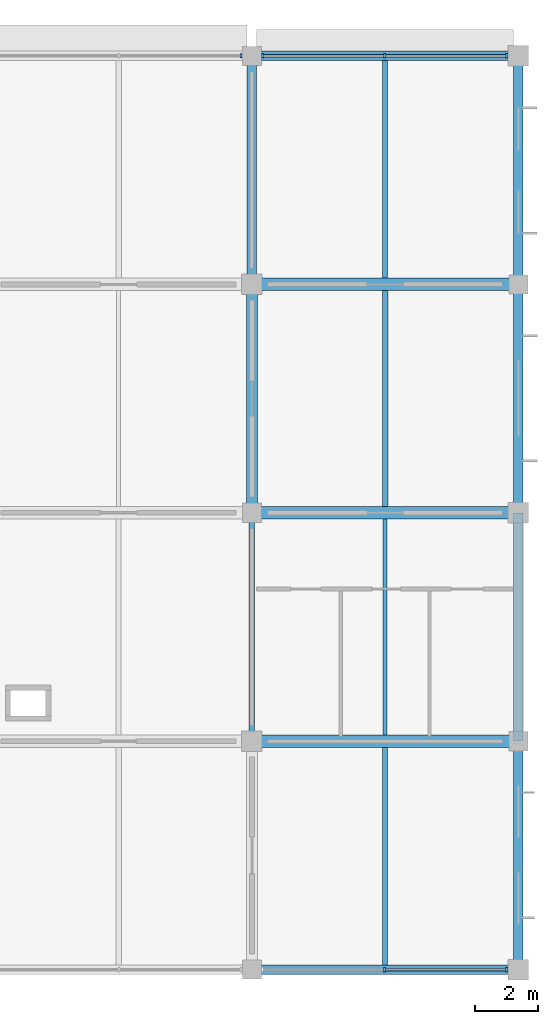
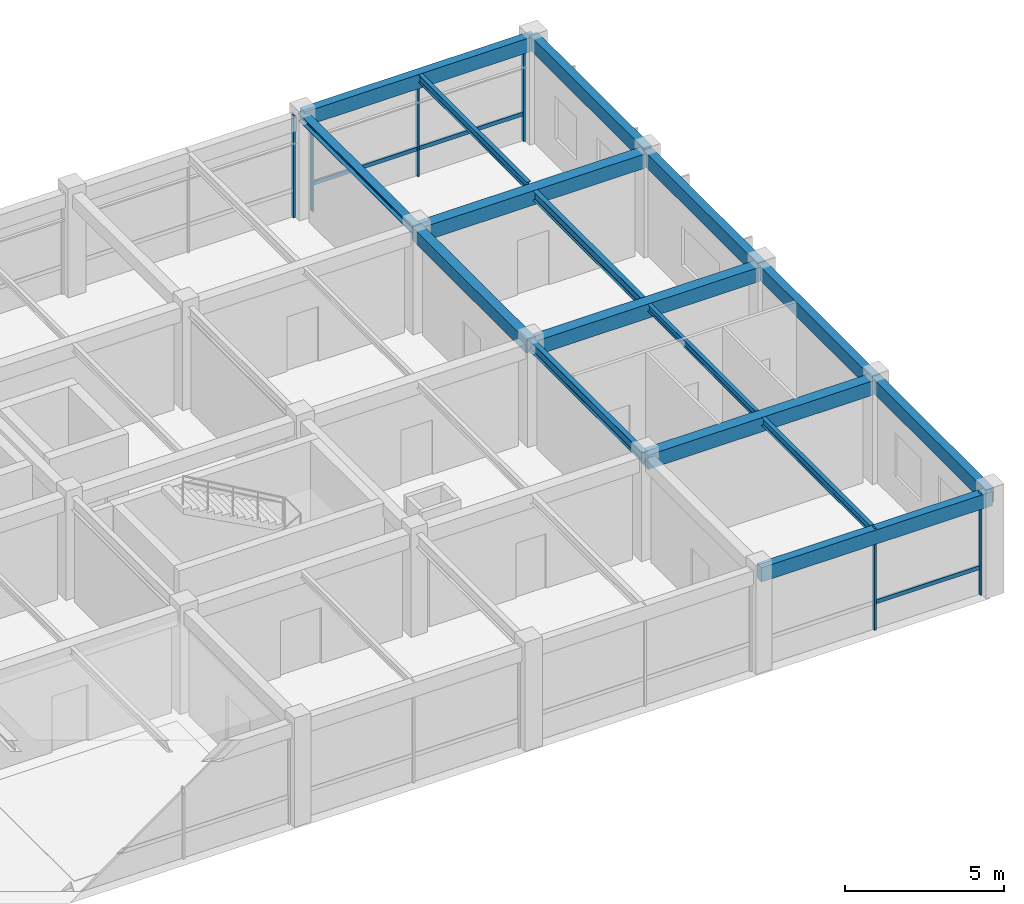
# One storey, part 6 of 11: 16 beams, 9 members, 3 elements without a shape of their own.
"""IFC4 building model written with IfcOpenShell, lengths in metres."""

from ifc_helpers import new_model, si_unit, derived_unit, direction, frame, origin, origin_2d, place, context, subcontext, project, spatial, rectangle, i_section, extrude, material, material_profile, profile_set, type_object, element, aggregate, save


model = new_model("IFC4")

# Units and contexts
model_context = context("Model", 3, precision=1e-05, world=origin(), true_north=direction((0.0, 1.0)))
body_context = subcontext(model_context, "Body", "Model", "MODEL_VIEW")
ifc_project = project(units=[si_unit("LENGTHUNIT", "METRE"), si_unit("AREAUNIT", "SQUARE_METRE"), si_unit("VOLUMEUNIT", "CUBIC_METRE"), si_unit("PLANEANGLEUNIT", "RADIAN"), si_unit("MASSUNIT", "GRAM", prefix="KILO"), derived_unit("THERMALTRANSMITTANCEUNIT", [(si_unit("MASSUNIT", "GRAM", prefix="KILO"), 1), (si_unit("TIMEUNIT", "SECOND"), -3), (si_unit("THERMODYNAMICTEMPERATUREUNIT", "KELVIN"), -1)])], contexts=[model_context])

# Site, building, storey
site_placement = place(None, origin())
site = spatial("IfcSite", under=ifc_project, at=site_placement, CompositionType="ELEMENT")
building_placement = place(site_placement, origin())
building = spatial("IfcBuilding", under=site, at=building_placement, Name="Veldstrom Oceanarium and Marine Research Institute", CompositionType="ELEMENT")
storey_placement = place(building_placement, frame((0.0, 0.0, 48.0)))
storey = spatial("IfcBuildingStorey", under=building, at=storey_placement, Name="L10", CompositionType="ELEMENT", Elevation=48.0)

# Curtain wall, member
ifc_material_1 = material(Name="Anodised Aluminium Framing", Category="aluminium")
curtain_wall_type = type_object("IfcCurtainWallType", Name="ARC-CW-CW04", PredefinedType="USERDEFINED", material=ifc_material_1)
curtain_wall_1_placement = place(storey_placement, origin())
curtain_wall_1 = element("IfcCurtainWall", 1, at=curtain_wall_1_placement, inside=storey, type_object=curtain_wall_type, Name="Curtain Wall CW04 CW-L10-148", ObjectType="Curtain wall", PredefinedType="USERDEFINED")
ifc_material_2 = material(Name="Anodised Aluminium Framing", Category="aluminium")
ifc_material_profile_1 = material_profile(ifc_material_2, rectangle(XDim=0.06494140625, YDim=0.14990234375, at=origin_2d()), Name="ALU-MUL-65x150")
ifc_profile_set_1 = profile_set([ifc_material_profile_1], Name="Anodised Aluminium Framing")
member_type_1 = type_object("IfcMemberType", Name="ARC-MUL-ML2", PredefinedType="MULLION", material=ifc_profile_set_1)
member_1_placement = place(storey_placement, frame((108.860107421875, 72.0, 0.0), z_axis=(0.0, 0.0, 1.0), x_axis=(1.0, 0.0, 0.0)))
member_1 = element("IfcMember", 2, at=member_1_placement, type_object=member_type_1, Name="Curtain Wall Mullion CW-L10-148-MUL-3", PredefinedType="MULLION", context=body_context, shape_type="SweptSolid", body=[
    extrude(rectangle(XDim=0.06494140625, YDim=0.14990234375, at=origin_2d()), origin(), (0.0, 0.0, 1.0), 3.919921875),
])
aggregate(curtain_wall_1, [member_1])

# Curtain wall, members
curtain_wall_2_placement = place(storey_placement, origin())
curtain_wall_2 = element("IfcCurtainWall", 3, at=curtain_wall_2_placement, inside=storey, type_object=curtain_wall_type, Name="Curtain Wall CW04 CW-L10-149", ObjectType="Curtain wall", PredefinedType="USERDEFINED")
member_2_placement = place(storey_placement, frame((113.387451171875, 43.199951171875, 0.0), z_axis=(0.0, 0.0, 1.0), x_axis=(1.0, 0.0, 0.0)))
member_2 = element("IfcMember", 4, at=member_2_placement, type_object=member_type_1, Name="Curtain Wall Mullion CW-L10-149-MUL-2", PredefinedType="MULLION", context=body_context, shape_type="SweptSolid", body=[
    extrude(rectangle(XDim=0.06494140625, YDim=0.14990234375, at=origin_2d()), origin(), (0.0, 0.0, 1.0), 3.919921875),
])
member_3_placement = place(storey_placement, frame((117.235107421875, 43.199951171875, 0.0), z_axis=(0.0, 0.0, 1.0), x_axis=(1.0, 0.0, 0.0)))
member_3 = element("IfcMember", 5, at=member_3_placement, type_object=member_type_1, Name="Curtain Wall Mullion CW-L10-149-MUL-3", PredefinedType="MULLION", context=body_context, shape_type="SweptSolid", body=[
    extrude(rectangle(XDim=0.06494140625, YDim=0.14990234375, at=origin_2d()), origin(), (0.0, 0.0, 1.0), 3.919921875),
])

curtain_wall_3_placement = place(storey_placement, origin())
curtain_wall_3 = element("IfcCurtainWall", 6, at=curtain_wall_3_placement, inside=storey, type_object=curtain_wall_type, Name="Curtain Wall CW04 CW-L10-150", ObjectType="Curtain wall", PredefinedType="USERDEFINED")
member_4_placement = place(storey_placement, frame((109.5400390625, 72.0, 0.0), z_axis=(0.0, 0.0, 1.0), x_axis=(1.0, 0.0, 0.0)))
member_4 = element("IfcMember", 7, at=member_4_placement, type_object=member_type_1, Name="Curtain Wall Mullion CW-L10-150-MUL-1", PredefinedType="MULLION", context=body_context, shape_type="SweptSolid", body=[
    extrude(rectangle(XDim=0.06494140625, YDim=0.14990234375, at=origin_2d()), origin(), (0.0, 0.0, 1.0), 3.919921875),
])
member_5_placement = place(storey_placement, frame((113.387451171875, 72.0, 0.0), z_axis=(0.0, 0.0, 1.0), x_axis=(1.0, 0.0, 0.0)))
member_5 = element("IfcMember", 8, at=member_5_placement, type_object=member_type_1, Name="Curtain Wall Mullion CW-L10-150-MUL-2", PredefinedType="MULLION", context=body_context, shape_type="SweptSolid", body=[
    extrude(rectangle(XDim=0.06494140625, YDim=0.14990234375, at=origin_2d()), origin(), (0.0, 0.0, 1.0), 3.919921875),
])
member_6_placement = place(storey_placement, frame((117.235107421875, 72.0, 0.0), z_axis=(0.0, 0.0, 1.0), x_axis=(1.0, 0.0, 0.0)))
member_6 = element("IfcMember", 9, at=member_6_placement, type_object=member_type_1, Name="Curtain Wall Mullion CW-L10-150-MUL-3", PredefinedType="MULLION", context=body_context, shape_type="SweptSolid", body=[
    extrude(rectangle(XDim=0.06494140625, YDim=0.14990234375, at=origin_2d()), origin(), (0.0, 0.0, 1.0), 3.919921875),
])

# Member
ifc_material_3 = material(Name="Anodised Aluminium Framing", Category="aluminium")
ifc_material_profile_2 = material_profile(ifc_material_3, rectangle(XDim=0.074951171875, YDim=0.14990234375, at=origin_2d()), Name="ALU-TRN-75x150")
ifc_profile_set_2 = profile_set([ifc_material_profile_2], Name="Anodised Aluminium Framing")
member_type_2 = type_object("IfcMemberType", Name="ARC-TRN-TR1", PredefinedType="USERDEFINED", material=ifc_profile_set_2)
member_7_placement = place(storey_placement, frame((113.427490234375, 43.199951171875, 1.050048828125), z_axis=(1.0, 0.0, 0.0), x_axis=(0.0, 1.0, 0.0)))
member_7 = element("IfcMember", 10, at=member_7_placement, type_object=member_type_2, Name="Curtain Wall Transom CW-L10-149-TRN-2", ObjectType="Transom", PredefinedType="USERDEFINED", context=body_context, shape_type="SweptSolid", body=[
    extrude(rectangle(XDim=0.074951171875, YDim=0.14990234375, at=origin_2d()), origin(), (0.0, 0.0, 1.0), 3.767578125),
])

aggregate(curtain_wall_2, [member_2, member_3, member_7])

member_8_placement = place(storey_placement, frame((109.580078125, 72.0, 1.050048828125), z_axis=(1.0, 0.0, 0.0), x_axis=(0.0, 1.0, 0.0)))
member_8 = element("IfcMember", 11, at=member_8_placement, type_object=member_type_2, Name="Curtain Wall Transom CW-L10-150-TRN-1", ObjectType="Transom", PredefinedType="USERDEFINED", context=body_context, shape_type="SweptSolid", body=[
    extrude(rectangle(XDim=0.074951171875, YDim=0.14990234375, at=origin_2d()), origin(), (0.0, 0.0, 1.0), 3.767333984375),
])

member_9_placement = place(storey_placement, frame((113.427490234375, 72.0, 1.050048828125), z_axis=(1.0, 0.0, 0.0), x_axis=(0.0, 1.0, 0.0)))
member_9 = element("IfcMember", 12, at=member_9_placement, type_object=member_type_2, Name="Curtain Wall Transom CW-L10-150-TRN-2", ObjectType="Transom", PredefinedType="USERDEFINED", context=body_context, shape_type="SweptSolid", body=[
    extrude(rectangle(XDim=0.074951171875, YDim=0.14990234375, at=origin_2d()), origin(), (0.0, 0.0, 1.0), 3.767578125),
])

aggregate(curtain_wall_3, [member_4, member_5, member_6, member_8, member_9])

# Beams
ifc_material_4 = material(Name="Concrete C40/50", Category="concrete")
ifc_material_profile_3 = material_profile(ifc_material_4, rectangle(XDim=0.39990234375, YDim=0.550048828125, at=origin_2d()), Name="RC-BM-400x550")
ifc_profile_set_3 = profile_set([ifc_material_profile_3], Name="Concrete C40/50")
beam_type_1 = type_object("IfcBeamType", Name="STR-BM-B07", PredefinedType="BEAM", material=ifc_profile_set_3)
for number, where, z_axis, x_axis, name in (
    (13, (109.199951171875, 50.39990234375, 3.639892578125), (1.0, 0.0, 0.0), (0.0, 1.0, 0.0), "Primary Beam B07 L10-2560"),
    (14, (109.199951171875, 57.60009765625, 3.639892578125), (1.0, 0.0, 0.0), (0.0, 1.0, 0.0), "Primary Beam B07 L10-2561"),
    (15, (109.199951171875, 64.800048828125, 3.639892578125), (1.0, 0.0, 0.0), (0.0, 1.0, 0.0), "Primary Beam B07 L10-2562"),
):
    element("IfcBeam", number, at=place(storey_placement, frame(where, z_axis=z_axis, x_axis=x_axis)), inside=storey, type_object=beam_type_1, Name=name, PredefinedType="BEAM", context=body_context, shape_type="SweptSolid", body=[
        extrude(rectangle(XDim=0.39990234375, YDim=0.550048828125, at=origin_2d()), origin(), (0.0, 0.0, 1.0), 8.400146484375),
    ])
ifc_material_5 = material(Name="Concrete C40/50", Category="concrete")
ifc_material_profile_4 = material_profile(ifc_material_5, rectangle(XDim=0.35009765625, YDim=0.5, at=origin_2d()), Name="RC-BM-350x500")
ifc_profile_set_4 = profile_set([ifc_material_profile_4], Name="Concrete C40/50")
beam_type_2 = type_object("IfcBeamType", Name="STR-BM-B08", PredefinedType="BEAM", material=ifc_profile_set_4)
beam_1_placement = place(storey_placement, frame((109.199951171875, 57.60009765625, 3.6650390625), z_axis=(0.0, 1.0, 0.0), x_axis=(-1.0, 0.0, 0.0)))
element("IfcBeam", 16, at=beam_1_placement, inside=storey, type_object=beam_type_2, Name="Primary Beam B08 L10-2582", PredefinedType="BEAM", context=body_context, shape_type="SweptSolid", body=[
    extrude(rectangle(XDim=0.35009765625, YDim=0.5, at=origin_2d()), origin(), (0.0, 0.0, 1.0), 7.199951171875),
])
ifc_material_6 = material(Name="Steel S355JR", Category="steel")
ifc_material_profile_5 = material_profile(ifc_material_6, i_section(OverallWidth=0.300048828125, OverallDepth=0.2900390625, WebThickness=0.008544921875, FlangeThickness=0.013916015625, FilletRadius=0.027099609375, at=origin_2d()), Name="HEA 300")
ifc_profile_set_5 = profile_set([ifc_material_profile_5], Name="Steel S355JR")
beam_type_3 = type_object("IfcBeamType", Name="STR-BM-SB10", PredefinedType="BEAM", material=ifc_profile_set_5)
beam_2_placement = place(storey_placement, frame((109.199951171875, 64.800048828125, 3.77001953125), z_axis=(0.0, 1.0, 0.0), x_axis=(-1.0, 0.0, 0.0)))
element("IfcBeam", 17, at=beam_2_placement, inside=storey, type_object=beam_type_3, Name="Steel Tie Beam SB10 L10-2583", PredefinedType="BEAM", context=body_context, shape_type="SweptSolid", body=[
    extrude(i_section(OverallWidth=0.300048828125, OverallDepth=0.2900390625, WebThickness=0.008544921875, FlangeThickness=0.013916015625, FilletRadius=0.027099609375, at=origin_2d()), origin(), (0.0, 0.0, 1.0), 7.199951171875),
])
ifc_material_7 = material(Name="Steel S355JR", Category="steel")
ifc_material_profile_6 = material_profile(ifc_material_7, i_section(OverallWidth=0.179931640625, OverallDepth=0.39990234375, WebThickness=0.008544921875, FlangeThickness=0.013427734375, FilletRadius=0.02099609375, at=origin_2d()), Name="IPE 400")
ifc_profile_set_6 = profile_set([ifc_material_profile_6], Name="Steel S355JR")
beam_type_4 = type_object("IfcBeamType", Name="STR-BM-SB8", PredefinedType="BEAM", material=ifc_profile_set_6)
beam_3_placement = place(storey_placement, frame((109.199951171875, 50.39990234375, 3.715087890625), z_axis=(0.0, 1.0, 0.0), x_axis=(-1.0, 0.0, 0.0)))
element("IfcBeam", 18, at=beam_3_placement, inside=storey, type_object=beam_type_4, Name="Steel Tie Beam SB8 L10-2581", PredefinedType="BEAM", context=body_context, shape_type="SweptSolid", body=[
    extrude(i_section(OverallWidth=0.179931640625, OverallDepth=0.39990234375, WebThickness=0.008544921875, FlangeThickness=0.013427734375, FilletRadius=0.02099609375, at=origin_2d()), origin(), (0.0, 0.0, 1.0), 7.2001953125),
])
ifc_material_8 = material(Name="Steel S355JR", Category="steel")
ifc_material_profile_7 = material_profile(ifc_material_8, i_section(OverallWidth=0.169921875, OverallDepth=0.360107421875, WebThickness=0.008056640625, FlangeThickness=0.0126953125, FilletRadius=0.01806640625, at=origin_2d()), Name="IPE 360")
ifc_profile_set_7 = profile_set([ifc_material_profile_7], Name="Steel S355JR")
beam_type_5 = type_object("IfcBeamType", Name="STR-JST-SJ1", PredefinedType="JOIST", material=ifc_profile_set_7)
beam_4_placement = place(storey_placement, frame((113.39990234375, 57.800048828125, 3.735107421875), z_axis=(0.0, 1.0, 0.0), x_axis=(-1.0, 0.0, 0.0)))
element("IfcBeam", 19, at=beam_4_placement, inside=storey, type_object=beam_type_5, Name="Secondary Joist SJ1 L10-2603", PredefinedType="JOIST", context=body_context, shape_type="SweptSolid", body=[
    extrude(i_section(OverallWidth=0.169921875, OverallDepth=0.360107421875, WebThickness=0.008056640625, FlangeThickness=0.0126953125, FilletRadius=0.01806640625, at=origin_2d()), origin(), (0.0, 0.0, 1.0), 6.800048828125),
])
ifc_material_9 = material(Name="Steel S355JR", Category="steel")
ifc_material_profile_8 = material_profile(ifc_material_9, i_section(OverallWidth=0.14990234375, OverallDepth=0.300048828125, WebThickness=0.007080078125, FlangeThickness=0.0107421875, FilletRadius=0.014892578125, at=origin_2d()), Name="IPE 300")
ifc_profile_set_8 = profile_set([ifc_material_profile_8], Name="Steel S355JR")
beam_type_6 = type_object("IfcBeamType", Name="STR-JST-SJ2", PredefinedType="JOIST", material=ifc_profile_set_8)
beam_5_placement = place(storey_placement, frame((113.39990234375, 43.35009765625, 3.764892578125), z_axis=(0.0, 1.0, 0.0), x_axis=(-1.0, 0.0, 0.0)))
element("IfcBeam", 20, at=beam_5_placement, inside=storey, type_object=beam_type_6, Name="Secondary Joist SJ2 L10-2601", PredefinedType="JOIST", context=body_context, shape_type="SweptSolid", body=[
    extrude(i_section(OverallWidth=0.14990234375, OverallDepth=0.300048828125, WebThickness=0.007080078125, FlangeThickness=0.0107421875, FilletRadius=0.014892578125, at=origin_2d()), origin(), (0.0, 0.0, 1.0), 6.849853515625),
])
beam_6_placement = place(storey_placement, frame((113.39990234375, 65.0, 3.844970703125), z_axis=(0.0, 1.0, 0.0), x_axis=(-1.0, 0.0, 0.0)))
element("IfcBeam", 21, at=beam_6_placement, inside=storey, type_object=beam_type_6, Name="Secondary Joist SJ2 L10-2604", PredefinedType="JOIST", context=body_context, shape_type="SweptSolid", body=[
    extrude(i_section(OverallWidth=0.14990234375, OverallDepth=0.300048828125, WebThickness=0.007080078125, FlangeThickness=0.0107421875, FilletRadius=0.014892578125, at=origin_2d()), origin(), (0.0, 0.0, 1.0), 6.85009765625),
])
ifc_material_10 = material(Name="Steel S355JR", Category="steel")
ifc_material_profile_9 = material_profile(ifc_material_10, i_section(OverallWidth=0.135009765625, OverallDepth=0.27001953125, WebThickness=0.006591796875, FlangeThickness=0.01025390625, FilletRadius=0.014892578125, at=origin_2d()), Name="IPE 270")
ifc_profile_set_9 = profile_set([ifc_material_profile_9], Name="Steel S355JR")
beam_type_7 = type_object("IfcBeamType", Name="STR-JST-SJ3", PredefinedType="JOIST", material=ifc_profile_set_9)
beam_7_placement = place(storey_placement, frame((113.39990234375, 50.60009765625, 3.780029296875), z_axis=(0.0, 1.0, 0.0), x_axis=(-1.0, 0.0, 0.0)))
element("IfcBeam", 22, at=beam_7_placement, inside=storey, type_object=beam_type_7, Name="Secondary Joist SJ3 L10-2602", PredefinedType="JOIST", context=body_context, shape_type="SweptSolid", body=[
    extrude(i_section(OverallWidth=0.135009765625, OverallDepth=0.27001953125, WebThickness=0.006591796875, FlangeThickness=0.01025390625, FilletRadius=0.014892578125, at=origin_2d()), origin(), (0.0, 0.0, 1.0), 6.7998046875),
])
ifc_material_11 = material(Name="Concrete C40/50", Category="concrete")
ifc_material_profile_10 = material_profile(ifc_material_11, rectangle(XDim=0.300048828125, YDim=0.550048828125, at=origin_2d()), Name="RC-SPN-300x550")
ifc_profile_set_10 = profile_set([ifc_material_profile_10], Name="Concrete C40/50")
beam_type_8 = type_object("IfcBeamType", Name="STR-SPN-SP2", PredefinedType="SPANDREL", material=ifc_profile_set_10)
for number, where, z_axis, x_axis, name in (
    (23, (109.199951171875, 43.199951171875, 3.639892578125), (1.0, 0.0, 0.0), (0.0, 1.0, 0.0), "Perimeter Spandrel SPB2 L10-2559"),
    (24, (109.199951171875, 72.0, 3.719970703125), (1.0, 0.0, 0.0), (0.0, 1.0, 0.0), "Perimeter Spandrel SPB2 L10-2563"),
):
    element("IfcBeam", number, at=place(storey_placement, frame(where, z_axis=z_axis, x_axis=x_axis)), inside=storey, type_object=beam_type_8, Name=name, PredefinedType="SPANDREL", context=body_context, shape_type="SweptSolid", body=[
        extrude(rectangle(XDim=0.300048828125, YDim=0.550048828125, at=origin_2d()), origin(), (0.0, 0.0, 1.0), 8.400146484375),
    ])
beam_8_placement = place(storey_placement, frame((117.60009765625, 43.199951171875, 3.639892578125), z_axis=(0.0, 1.0, 0.0), x_axis=(-1.0, 0.0, 0.0)))
element("IfcBeam", 25, at=beam_8_placement, inside=storey, type_object=beam_type_8, Name="Perimeter Spandrel SPB2 L10-2584", PredefinedType="SPANDREL", context=body_context, shape_type="SweptSolid", body=[
    extrude(rectangle(XDim=0.300048828125, YDim=0.550048828125, at=origin_2d()), origin(), (0.0, 0.0, 1.0), 7.199951171875),
])
beam_9_placement = place(storey_placement, frame((117.60009765625, 50.39990234375, 3.639892578125), z_axis=(0.0, 1.0, 0.0), x_axis=(-1.0, 0.0, 0.0)))
element("IfcBeam", 26, at=beam_9_placement, inside=storey, type_object=beam_type_8, Name="Perimeter Spandrel SPB2 L10-2585", PredefinedType="SPANDREL", context=body_context, shape_type="SweptSolid", body=[
    extrude(rectangle(XDim=0.300048828125, YDim=0.550048828125, at=origin_2d()), origin(), (0.0, 0.0, 1.0), 7.2001953125),
])
for number, where, z_axis, x_axis, name in (
    (27, (117.60009765625, 57.60009765625, 3.639892578125), (0.0, 1.0, 0.0), (-1.0, 0.0, 0.0), "Perimeter Spandrel SPB2 L10-2586"),
    (28, (117.60009765625, 64.800048828125, 3.719970703125), (0.0, 1.0, 0.0), (-1.0, 0.0, 0.0), "Perimeter Spandrel SPB2 L10-2587"),
):
    element("IfcBeam", number, at=place(storey_placement, frame(where, z_axis=z_axis, x_axis=x_axis)), inside=storey, type_object=beam_type_8, Name=name, PredefinedType="SPANDREL", context=body_context, shape_type="SweptSolid", body=[
        extrude(rectangle(XDim=0.300048828125, YDim=0.550048828125, at=origin_2d()), origin(), (0.0, 0.0, 1.0), 7.199951171875),
    ])

save(model, "model.ifc")
